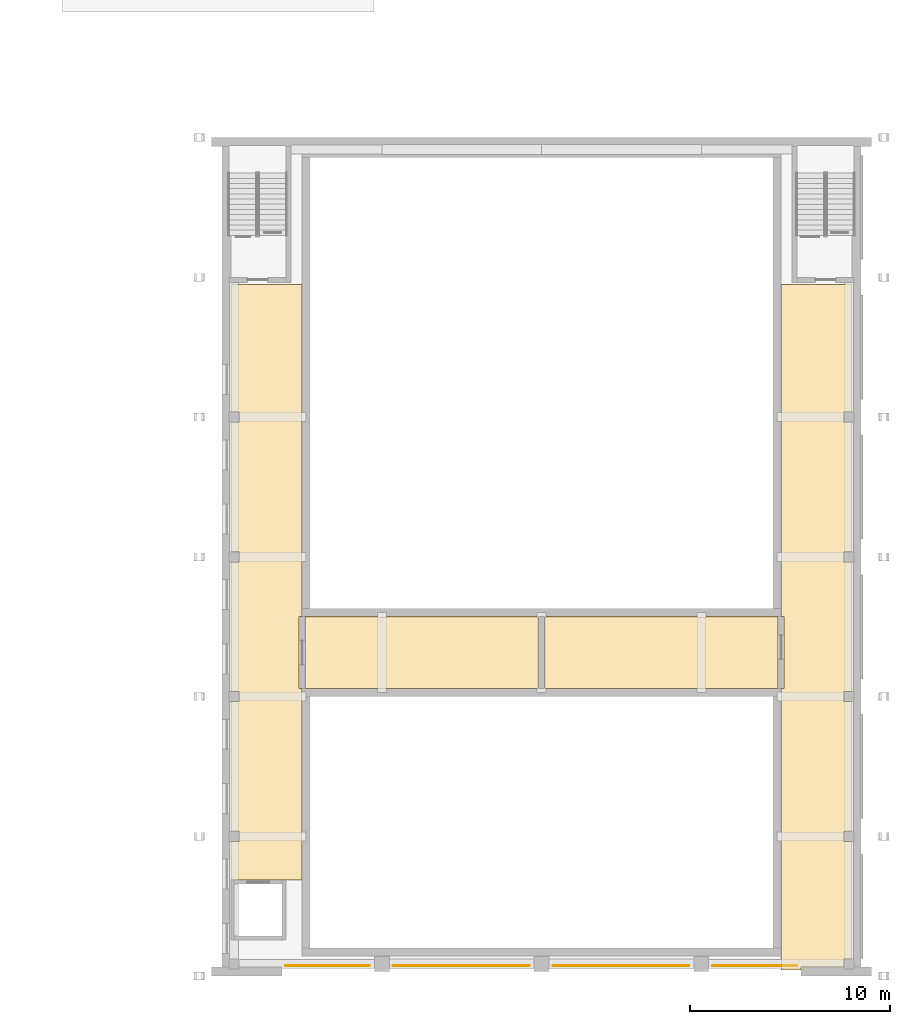
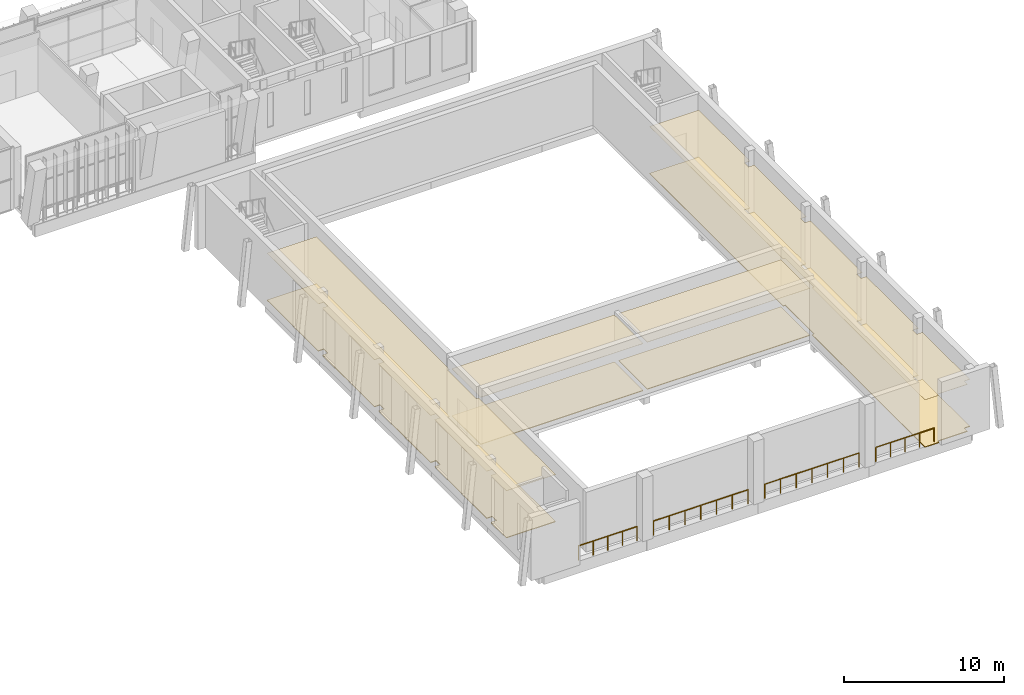
# One storey, part 76 of 92: 8 coverings, 4 railings.
"""IFC4 building model written with IfcOpenShell, lengths in metres."""

from ifc_helpers import new_model, si_unit, direction, frame, origin, origin_2d, place, context, subcontext, project, spatial, polyline, circle, outline, extrude, material, layer, layer_set, type_object, element, save


model = new_model("IFC4")

# Units and contexts
model_context = context("Model", 3, precision=1e-05, world=origin(), true_north=direction((0.0, 1.0)))
body_context = subcontext(model_context, "Body", "Model", "MODEL_VIEW")
ifc_project = project(units=[si_unit("LENGTHUNIT", "METRE"), si_unit("AREAUNIT", "SQUARE_METRE"), si_unit("VOLUMEUNIT", "CUBIC_METRE"), si_unit("PLANEANGLEUNIT", "RADIAN"), si_unit("MASSUNIT", "GRAM", prefix="KILO")], contexts=[model_context])

# Site, building, storey
site_placement = place(None, origin())
site = spatial("IfcSite", under=ifc_project, at=site_placement, CompositionType="ELEMENT")
building_placement = place(site_placement, origin())
building = spatial("IfcBuilding", under=site, at=building_placement, Name="Lantern Court Media Centre", CompositionType="ELEMENT")
storey_placement = place(building_placement, frame((0.0, 0.0, 4.800048828125)))
storey = spatial("IfcBuildingStorey", under=building, at=storey_placement, Name="L01", CompositionType="ELEMENT", Elevation=4.800048828125)

# Coverings
ifc_material_1 = material(Name="Carpet")
ifc_layer_1 = layer(ifc_material_1, 0.050048828125)
ifc_layer_set_1 = layer_set([ifc_layer_1], Name="Carpet")
covering_type_1 = type_object("IfcCoveringType", Name="Carpet floor finish", PredefinedType="FLOORING", material=ifc_layer_set_1)
covering_1_placement = place(storey_placement, origin())
element("IfcCovering", 1, at=covering_1_placement, inside=storey, type_object=covering_type_1, Name="Studio Control Room 05 floor finish", PredefinedType="FLOORING", context=body_context, shape_type="SweptSolid", body=[
    extrude(outline(polyline([(76.155029296875, 12.405029296875), (76.155029296875, 15.9951171875), (87.844970703125, 15.9951171875), (87.844970703125, 12.405029296875), (76.155029296875, 12.405029296875)])), origin(), (0.0, 0.0, 1.0), 0.050048828125),
])
covering_2_placement = place(storey_placement, origin())
element("IfcCovering", 2, at=covering_2_placement, inside=storey, type_object=covering_type_1, Name="Studio Control Room 06 floor finish", PredefinedType="FLOORING", context=body_context, shape_type="SweptSolid", body=[
    extrude(outline(polyline([(88.155029296875, 12.405029296875), (88.155029296875, 15.9951171875), (99.844970703125, 15.9951171875), (99.844970703125, 12.405029296875), (88.155029296875, 12.405029296875)])), origin(), (0.0, 0.0, 1.0), 0.050048828125),
])

# Railings
ifc_material_2 = material(Name="Powder-coated steel", Category="steel")
railing_type = type_object("IfcRailingType", Name="Floor edge guard 1100", PredefinedType="GUARDRAIL", material=ifc_material_2)
railing_1_placement = place(storey_placement, frame((79.37890625, -1.489990234375, 0.0)))
element("IfcRailing", 3, at=railing_1_placement, inside=storey, type_object=railing_type, Name="L01 edge guard 23", PredefinedType="GUARDRAIL", context=body_context, shape_type="SweptSolid", body=[
    extrude(circle(Radius=0.02392578125, at=origin_2d()), frame((0.0, 0.0, 1.076171875), z_axis=(-1.0, 0.0, 0.0), x_axis=(0.0, -1.0, 0.0)), (0.0, 0.0, 1.0), 4.199951171875),
    extrude(circle(Radius=0.02099609375, at=origin_2d()), origin(), (0.0, 0.0, 1.0), 1.052001953125),
    extrude(circle(Radius=0.02099609375, at=origin_2d()), frame((-1.050048828125, 0.0, 0.0)), (0.0, 0.0, 1.0), 1.052001953125),
    extrude(circle(Radius=0.02099609375, at=origin_2d()), frame((-2.10009765625, 0.0, 0.0)), (0.0, 0.0, 1.0), 1.052001953125),
    extrude(circle(Radius=0.02099609375, at=origin_2d()), frame((-3.14990234375, 0.0, 0.0)), (0.0, 0.0, 1.0), 1.052001953125),
    extrude(circle(Radius=0.02099609375, at=origin_2d()), frame((-4.199951171875, 0.0, 0.0)), (0.0, 0.0, 1.0), 1.052001953125),
])
for number, where, name in (
    (4, (87.37890625, -1.489990234375, 0.0), "L01 edge guard 26"),
    (5, (95.37890625, -1.489990234375, 0.0), "L01 edge guard 27"),
):
    element("IfcRailing", number, at=place(storey_placement, frame(where)), inside=storey, type_object=railing_type, Name=name, PredefinedType="GUARDRAIL", context=body_context, shape_type="SweptSolid", body=[
        extrude(circle(Radius=0.02392578125, at=origin_2d()), frame((0.0, 0.0, 1.076171875), z_axis=(-1.0, 0.0, 0.0), x_axis=(0.0, -1.0, 0.0)), (0.0, 0.0, 1.0), 6.7998046875),
        extrude(circle(Radius=0.02099609375, at=origin_2d()), origin(), (0.0, 0.0, 1.0), 1.052001953125),
        extrude(circle(Radius=0.02099609375, at=origin_2d()), frame((-1.13330078125, 0.0, 0.0)), (0.0, 0.0, 1.0), 1.052001953125),
        extrude(circle(Radius=0.02099609375, at=origin_2d()), frame((-2.2666015625, 0.0, 0.0)), (0.0, 0.0, 1.0), 1.052001953125),
        extrude(circle(Radius=0.02099609375, at=origin_2d()), frame((-3.39990234375, 0.0, 0.0)), (0.0, 0.0, 1.0), 1.052001953125),
        extrude(circle(Radius=0.02099609375, at=origin_2d()), frame((-4.533203125, 0.0, 0.0)), (0.0, 0.0, 1.0), 1.052001953125),
        extrude(circle(Radius=0.02099609375, at=origin_2d()), frame((-5.66650390625, 0.0, 0.0)), (0.0, 0.0, 1.0), 1.052001953125),
        extrude(circle(Radius=0.02099609375, at=origin_2d()), frame((-6.7998046875, 0.0, 0.0)), (0.0, 0.0, 1.0), 1.052001953125),
    ])
railing_2_placement = place(storey_placement, frame((100.779052734375, -1.489990234375, 0.0)))
element("IfcRailing", 6, at=railing_2_placement, inside=storey, type_object=railing_type, Name="L01 edge guard 28", PredefinedType="GUARDRAIL", context=body_context, shape_type="SweptSolid", body=[
    extrude(circle(Radius=0.02392578125, at=origin_2d()), frame((0.0, 0.0, 1.076171875), z_axis=(-1.0, 0.0, 0.0), x_axis=(0.0, -1.0, 0.0)), (0.0, 0.0, 1.0), 4.199951171875),
    extrude(circle(Radius=0.02099609375, at=origin_2d()), origin(), (0.0, 0.0, 1.0), 1.052001953125),
    extrude(circle(Radius=0.02099609375, at=origin_2d()), frame((-1.050048828125, 0.0, 0.0)), (0.0, 0.0, 1.0), 1.052001953125),
    extrude(circle(Radius=0.02099609375, at=origin_2d()), frame((-2.10009765625, 0.0, 0.0)), (0.0, 0.0, 1.0), 1.052001953125),
    extrude(circle(Radius=0.02099609375, at=origin_2d()), frame((-3.14990234375, 0.0, 0.0)), (0.0, 0.0, 1.0), 1.052001953125),
    extrude(circle(Radius=0.02099609375, at=origin_2d()), frame((-4.199951171875, 0.0, 0.0)), (0.0, 0.0, 1.0), 1.052001953125),
])

# Coverings
ifc_material_3 = material(Name="Mineral fibre ceiling tile")
ifc_layer_2 = layer(ifc_material_3, 0.02001953125)
ifc_layer_set_2 = layer_set([ifc_layer_2], Name="Mineral fibre ceiling tile")
covering_type_2 = type_object("IfcCoveringType", Name="Suspended ceiling tile", PredefinedType="CEILING", material=ifc_layer_set_2)
covering_3_placement = place(storey_placement, frame((0.0, 0.0, 3.599853515625)))
element("IfcCovering", 7, at=covering_3_placement, inside=storey, type_object=covering_type_2, Name="Exit Corridor ceiling", PredefinedType="CEILING", context=body_context, shape_type="SweptSolid", body=[
    extrude(outline(polyline([(75.99951171875, 32.64990234375), (75.99951171875, 16.00048828125), (75.849609375, 16.0), (75.849609375, 12.39990234375), (75.99951171875, 12.3994140625), (75.99951171875, 2.800048828125), (72.450439453125, 2.800537109375), (72.450439453125, 4.74951171875), (72.8505859375, 4.75), (72.850341796875, 5.250244140625), (72.450439453125, 5.25048828125), (72.450439453125, 11.74951171875), (72.8505859375, 11.75), (72.850341796875, 12.250244140625), (72.450439453125, 12.25048828125), (72.450439453125, 18.74951171875), (72.8505859375, 18.75), (72.850341796875, 19.250244140625), (72.450439453125, 19.25048828125), (72.450439453125, 25.74951171875), (72.8505859375, 25.75), (72.850341796875, 26.250244140625), (72.450439453125, 26.25048828125), (72.450439453125, 32.64990234375), (75.99951171875, 32.64990234375)])), origin(), (0.0, 0.0, 1.0), 0.02001953125),
])
covering_4_placement = place(storey_placement, frame((0.0, 0.0, 3.599853515625)))
element("IfcCovering", 8, at=covering_4_placement, inside=storey, type_object=covering_type_2, Name="Exit Corridor ceiling", PredefinedType="CEILING", context=body_context, shape_type="SweptSolid", body=[
    extrude(outline(polyline([(103.549560546875, 32.64990234375), (103.549560546875, 26.25048828125), (103.1494140625, 26.25), (103.149658203125, 25.749755859375), (103.549560546875, 25.74951171875), (103.549560546875, 19.25048828125), (103.1494140625, 19.25), (103.149658203125, 18.749755859375), (103.549560546875, 18.74951171875), (103.549560546875, 12.25048828125), (103.1494140625, 12.25), (103.149658203125, 11.749755859375), (103.549560546875, 11.74951171875), (103.549560546875, 5.25048828125), (103.1494140625, 5.25), (103.149658203125, 4.749755859375), (103.549560546875, 4.74951171875), (103.549560546875, -1.1494140625), (103.149658203125, -1.149658203125), (103.1494140625, -1.549560546875), (101.0, -1.549560546875), (100.99951171875, -1.699951171875), (100.0, -1.699951171875), (100.00048828125, 12.3994140625), (100.150390625, 12.39990234375), (100.150390625, 16.0), (100.00048828125, 16.00048828125), (100.00048828125, 32.64990234375), (103.549560546875, 32.64990234375)])), origin(), (0.0, 0.0, 1.0), 0.02001953125),
])
covering_5_placement = place(storey_placement, frame((0.0, 0.0, 3.599853515625)))
element("IfcCovering", 9, at=covering_5_placement, inside=storey, type_object=covering_type_2, Name="Studio Control Room 05 ceiling", PredefinedType="CEILING", context=body_context, shape_type="SweptSolid", body=[
    extrude(outline(polyline([(76.150390625, 12.400390625), (76.150390625, 15.99951171875), (87.849609375, 15.99951171875), (87.849609375, 12.400390625), (76.150390625, 12.400390625)])), origin(), (0.0, 0.0, 1.0), 0.02001953125),
])
covering_6_placement = place(storey_placement, frame((0.0, 0.0, 3.599853515625)))
element("IfcCovering", 10, at=covering_6_placement, inside=storey, type_object=covering_type_2, Name="Studio Control Room 06 ceiling", PredefinedType="CEILING", context=body_context, shape_type="SweptSolid", body=[
    extrude(outline(polyline([(88.150390625, 12.400390625), (88.150390625, 15.99951171875), (99.849609375, 15.99951171875), (99.849609375, 12.400390625), (88.150390625, 12.400390625)])), origin(), (0.0, 0.0, 1.0), 0.02001953125),
])
ifc_material_4 = material(Name="Terrazzo")
ifc_layer_3 = layer(ifc_material_4, 0.050048828125)
ifc_layer_set_3 = layer_set([ifc_layer_3], Name="Terrazzo")
covering_type_3 = type_object("IfcCoveringType", Name="Terrazzo floor finish", PredefinedType="FLOORING", material=ifc_layer_set_3)
covering_7_placement = place(storey_placement, origin())
element("IfcCovering", 11, at=covering_7_placement, inside=storey, type_object=covering_type_3, Name="Exit Corridor floor finish", PredefinedType="FLOORING", context=body_context, shape_type="SweptSolid", body=[
    extrude(outline(polyline([(75.9951171875, 32.64990234375), (75.9951171875, 16.0048828125), (75.844970703125, 16.0), (75.844970703125, 12.39990234375), (75.9951171875, 12.39501953125), (75.9951171875, 2.800048828125), (72.455078125, 2.804931640625), (72.455078125, 4.7451171875), (72.85498046875, 4.75), (72.853759765625, 5.253173828125), (72.455078125, 5.2548828125), (72.455078125, 11.7451171875), (72.85498046875, 11.75), (72.853759765625, 12.253173828125), (72.455078125, 12.2548828125), (72.455078125, 18.7451171875), (72.85498046875, 18.75), (72.853759765625, 19.253173828125), (72.455078125, 19.2548828125), (72.455078125, 25.7451171875), (72.85498046875, 25.75), (72.853759765625, 26.253173828125), (72.455078125, 26.2548828125), (72.455078125, 32.64990234375), (75.9951171875, 32.64990234375)])), origin(), (0.0, 0.0, 1.0), 0.050048828125),
])
covering_8_placement = place(storey_placement, origin())
element("IfcCovering", 12, at=covering_8_placement, inside=storey, type_object=covering_type_3, Name="Exit Corridor floor finish", PredefinedType="FLOORING", context=body_context, shape_type="SweptSolid", body=[
    extrude(outline(polyline([(103.544921875, 32.64990234375), (103.544921875, 26.2548828125), (103.14501953125, 26.25), (103.146240234375, 25.746826171875), (103.544921875, 25.7451171875), (103.544921875, 19.2548828125), (103.14501953125, 19.25), (103.146240234375, 18.746826171875), (103.544921875, 18.7451171875), (103.544921875, 12.2548828125), (103.14501953125, 12.25), (103.146240234375, 11.746826171875), (103.544921875, 11.7451171875), (103.544921875, 5.2548828125), (103.14501953125, 5.25), (103.146240234375, 4.746826171875), (103.544921875, 4.7451171875), (103.544921875, -1.14501953125), (103.146484375, -1.146484375), (103.14501953125, -1.544921875), (100.99951171875, -1.544921875), (100.9951171875, -1.699951171875), (100.0, -1.699951171875), (100.0048828125, 12.39501953125), (100.155029296875, 12.39990234375), (100.155029296875, 16.0), (100.0048828125, 16.0048828125), (100.0048828125, 32.64990234375), (103.544921875, 32.64990234375)])), origin(), (0.0, 0.0, 1.0), 0.050048828125),
])

save(model, "model.ifc")
